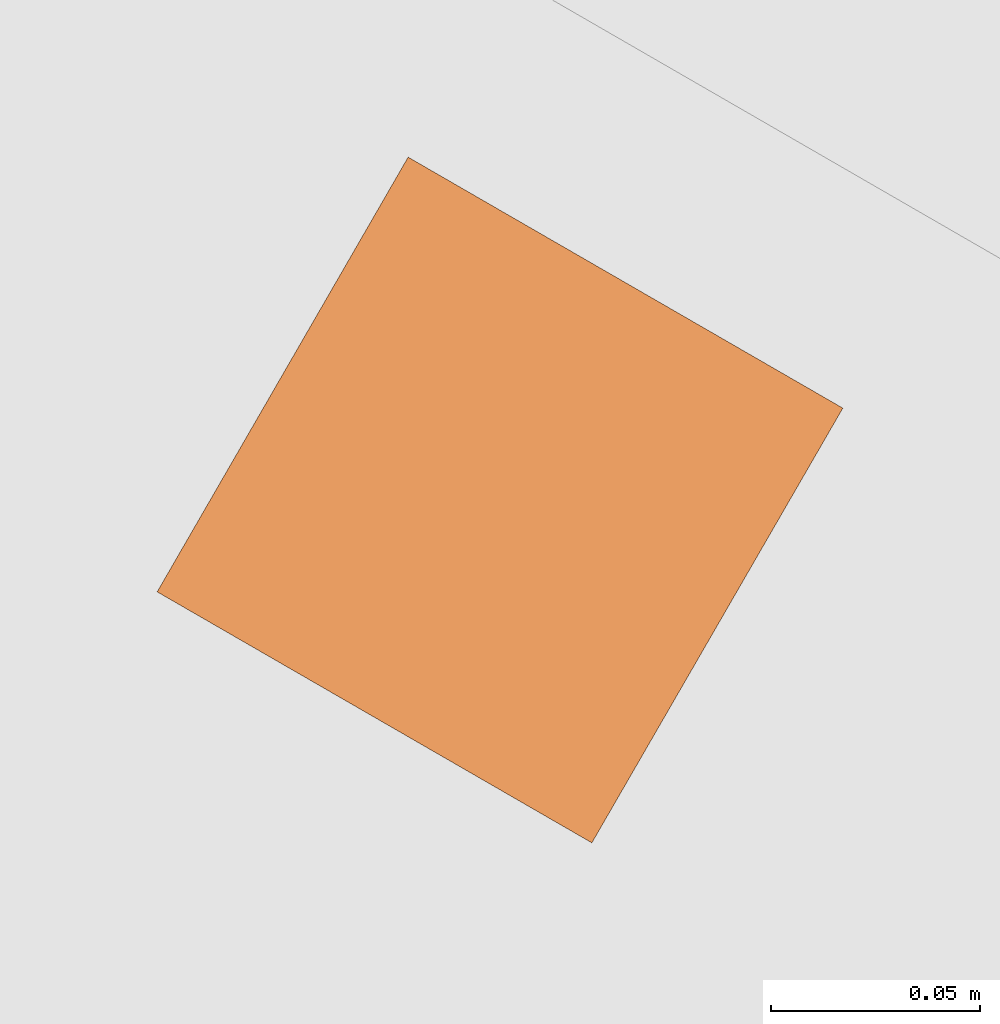
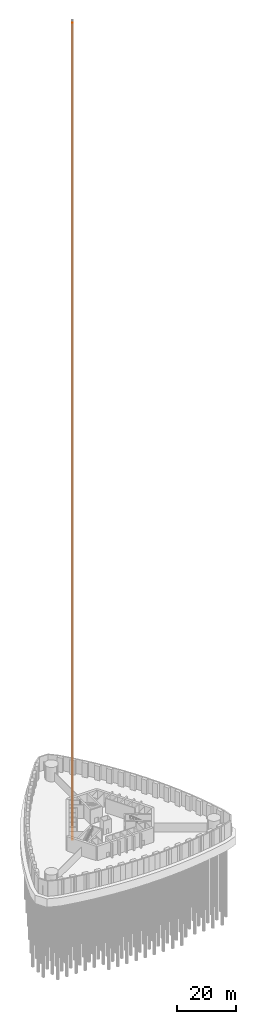
# One storey, part 11 of 12: 1 proxy.
"""IFC4 building model written with IfcOpenShell, lengths in metres."""

from ifc_helpers import new_model, si_unit, direction, frame, origin, origin_2d, place, context, subcontext, project, spatial, rectangle, extrude, element, save


model = new_model("IFC4")

# Units and contexts
model_context = context("Model", 3, precision=1e-05, world=origin(), true_north=direction((0.0, 1.0)))
body_context = subcontext(model_context, "Body", "Model", "MODEL_VIEW")
ifc_project = project(units=[si_unit("LENGTHUNIT", "METRE"), si_unit("AREAUNIT", "SQUARE_METRE"), si_unit("VOLUMEUNIT", "CUBIC_METRE"), si_unit("PLANEANGLEUNIT", "RADIAN"), si_unit("MASSUNIT", "GRAM", prefix="KILO")], contexts=[model_context])

# Site, building, storey
site_placement = place(None, origin())
site = spatial("IfcSite", under=ifc_project, at=site_placement, CompositionType="ELEMENT")
building_placement = place(site_placement, origin())
building = spatial("IfcBuilding", under=site, at=building_placement, Name="Trefoil Bronze Tower", CompositionType="ELEMENT")
storey_placement = place(building_placement, frame((0.0, 0.0, -6.0)))
storey = spatial("IfcBuildingStorey", under=building, at=storey_placement, Name="B1", CompositionType="ELEMENT", Elevation=-6.0)

# Proxy
proxy_placement = place(storey_placement, frame((-10.914306640625, 3.720703125, -1.599853515625), z_axis=(0.0, 0.0, 1.0), x_axis=(-0.5, -0.866025403784, 0.0)))
element("IfcBuildingElementProxy", 1, at=proxy_placement, inside=storey, Name="Lift FL1 guide rail 2", ObjectType="LIFT GUIDE RAIL", PredefinedType="USERDEFINED", context=body_context, shape_type="SweptSolid", body=[
    extrude(rectangle(XDim=0.1201171875, YDim=0.1201171875, at=origin_2d()), origin(), (0.0, 0.0, 1.0), 340.39990234375),
])

save(model, "model.ifc")
